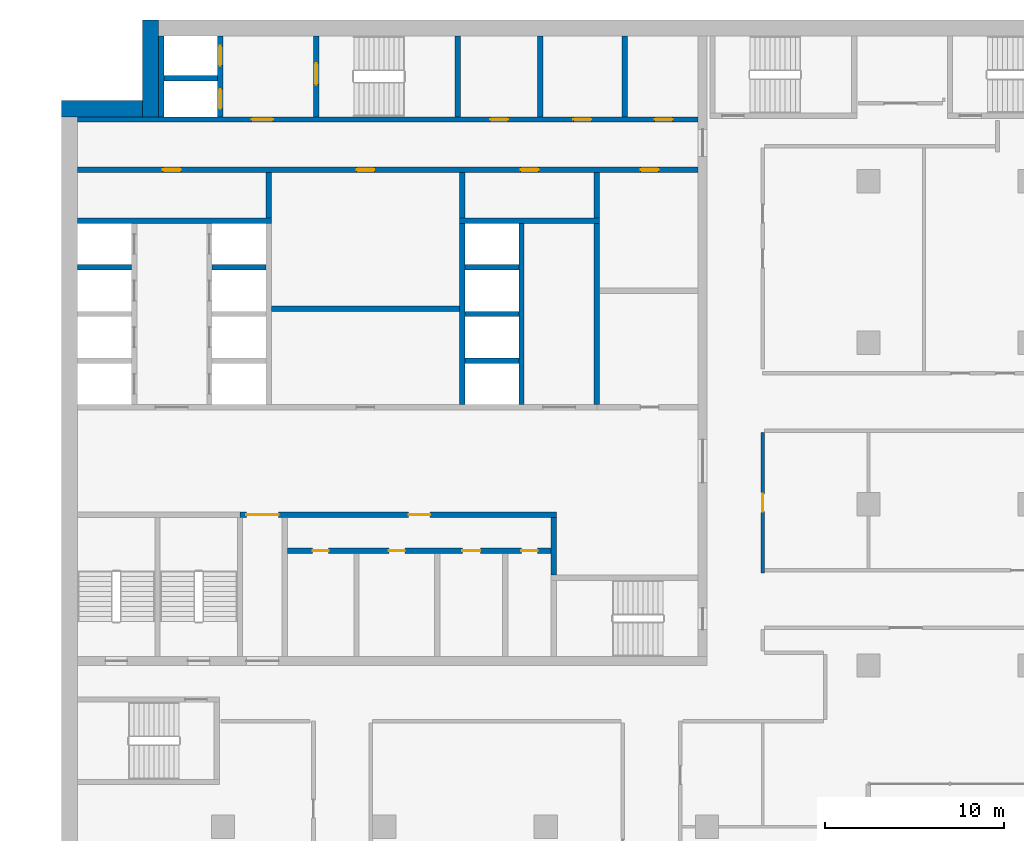
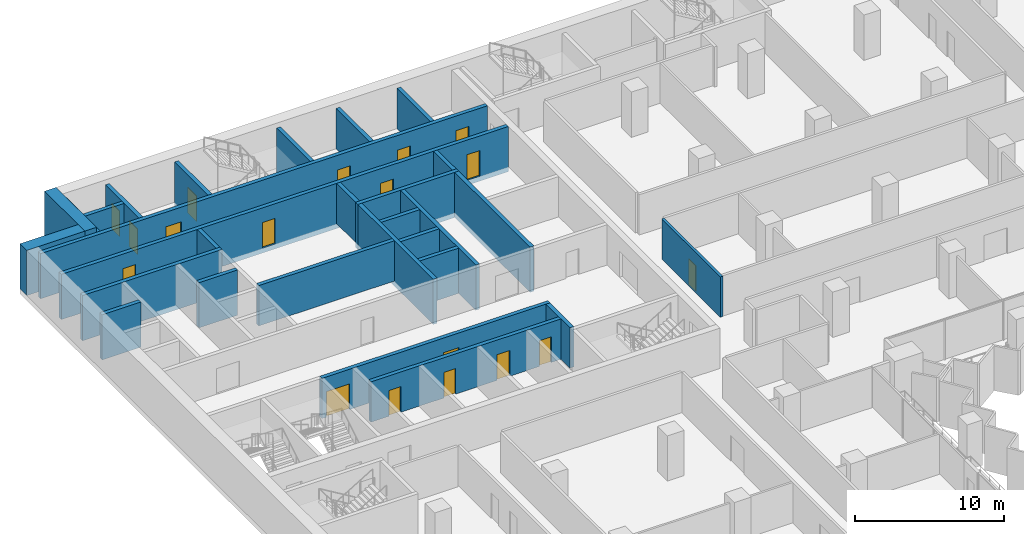
# One storey, part 13 of 23: 29 walls, 18 doors, 18 openings.
"""IFC4 building model written with IfcOpenShell, lengths in metres."""

from ifc_helpers import new_model, si_unit, direction, frame, frame_2d, origin, place, context, subcontext, project, spatial, rectangle, extrude, material, layer, layer_set, type_object, element, fill, save


model = new_model("IFC4")

# Units and contexts
model_context = context("Model", 3, precision=1e-05, world=origin(), true_north=direction((0.0, 1.0)))
body_context = subcontext(model_context, "Body", "Model", "MODEL_VIEW")
ifc_project = project(units=[si_unit("LENGTHUNIT", "METRE"), si_unit("AREAUNIT", "SQUARE_METRE"), si_unit("VOLUMEUNIT", "CUBIC_METRE"), si_unit("PLANEANGLEUNIT", "RADIAN"), si_unit("MASSUNIT", "GRAM", prefix="KILO")], contexts=[model_context])

# Site, building, storey
site_placement = place(None, origin())
site = spatial("IfcSite", under=ifc_project, at=site_placement, CompositionType="ELEMENT")
building_placement = place(site_placement, origin())
building = spatial("IfcBuilding", under=site, at=building_placement, Name="Hunhe Ridgeline Campus", CompositionType="ELEMENT")
storey_placement = place(building_placement, frame((0.0, 0.0, 110.699951171875)))
storey = spatial("IfcBuildingStorey", under=building, at=storey_placement, Name="L27", CompositionType="ELEMENT", Elevation=110.699951171875)

# Wall, openings, doors
ifc_material_1 = material(Name="Masonry concrete blockwork", Category="masonry")
ifc_layer_1 = layer(ifc_material_1, 0.300048828125)
ifc_layer_set_1 = layer_set([ifc_layer_1], Name="Core room partition 300 concrete block")
wall_type_1 = type_object("IfcWallType", Name="Core room partition 300 concrete block", PredefinedType="PARTITIONING", material=ifc_layer_set_1)
wall_1_placement = place(storey_placement, frame((12.60009765625, 69.39990234375, 0.0), z_axis=(0.0, 0.0, 1.0), x_axis=(1.0, 0.0, 0.0)))
wall_1 = element("IfcWall", 1, at=wall_1_placement, inside=storey, type_object=wall_type_1, Name="L27 core partition 9", PredefinedType="PARTITIONING", context=body_context, shape_type="SweptSolid", body=[
    extrude(rectangle(XDim=14.699951171875, YDim=0.300048828125, at=frame_2d((7.35009765625, 0.0))), origin(), (0.0, 0.0, 1.0), 3.300048828125),
])
opening_1_placement = place(wall_1_placement, frame((1.39990234375, 0.0, 0.0)))
opening_1 = element("IfcOpeningElement", 2, at=opening_1_placement, cuts=wall_1, Name="Opening CD8", PredefinedType="OPENING", context=body_context, shape_type="SweptSolid", body=[
    extrude(rectangle(XDim=0.89990234375, YDim=2.10009765625, at=frame_2d((0.449951171875, 1.050048828125))), frame((0.0, 0.14990234375, 0.0), z_axis=(0.0, -1.0, 0.0), x_axis=(1.0, 0.0, 0.0)), (0.0, 0.0, 1.0), 0.300048828125),
])
opening_2_placement = place(wall_1_placement, frame((5.64990234375, 0.0, 0.0)))
opening_2 = element("IfcOpeningElement", 3, at=opening_2_placement, cuts=wall_1, Name="Opening CD9", PredefinedType="OPENING", context=body_context, shape_type="SweptSolid", body=[
    extrude(rectangle(XDim=0.89990234375, YDim=2.10009765625, at=frame_2d((0.449951171875, 1.050048828125))), frame((0.0, 0.14990234375, 0.0), z_axis=(0.0, -1.0, 0.0), x_axis=(1.0, 0.0, 0.0)), (0.0, 0.0, 1.0), 0.300048828125),
])
opening_3_placement = place(wall_1_placement, frame((9.75, 0.0, 0.0)))
opening_3 = element("IfcOpeningElement", 4, at=opening_3_placement, cuts=wall_1, Name="Opening CD10", PredefinedType="OPENING", context=body_context, shape_type="SweptSolid", body=[
    extrude(rectangle(XDim=1.0, YDim=2.10009765625, at=frame_2d((0.5, 1.050048828125))), frame((0.0, 0.14990234375, 0.0), z_axis=(0.0, -1.0, 0.0), x_axis=(1.0, 0.0, 0.0)), (0.0, 0.0, 1.0), 0.300048828125),
])
opening_4_placement = place(wall_1_placement, frame((13.050048828125, 0.0, 0.0)))
opening_4 = element("IfcOpeningElement", 5, at=opening_4_placement, cuts=wall_1, Name="Opening CD11", PredefinedType="OPENING", context=body_context, shape_type="SweptSolid", body=[
    extrude(rectangle(XDim=0.89990234375, YDim=2.10009765625, at=frame_2d((0.449951171875, 1.050048828125))), frame((0.0, 0.14990234375, 0.0), z_axis=(0.0, -1.0, 0.0), x_axis=(1.0, 0.0, 0.0)), (0.0, 0.0, 1.0), 0.300048828125),
])
ifc_material_2 = material(Name="Solid core timber door leaf", Category="wood")
door_type_1 = type_object("IfcDoorType", Name="Timber door 1000x2100", OperationType="SINGLE_SWING_LEFT", PredefinedType="DOOR", material=ifc_material_2)
door_1_placement = place(opening_3_placement, frame((1.0, 0.0, 0.0), z_axis=(0.0, 0.0, 1.0), x_axis=(-1.0, 0.0, 0.0)))
door_1 = element("IfcDoor", 6, at=door_1_placement, inside=storey, type_object=door_type_1, Name="L27 door WC3", OperationType="SINGLE_SWING_RIGHT", OverallHeight=2.10009765625, OverallWidth=1.0, PredefinedType="DOOR", context=body_context, shape_type="SweptSolid", body=[
    extrude(rectangle(XDim=1.0, YDim=2.10009765625, at=frame_2d((0.5, 1.050048828125))), frame((0.0, 0.02490234375, 0.0), z_axis=(0.0, -1.0, 0.0), x_axis=(1.0, 0.0, 0.0)), (0.0, 0.0, 1.0), 0.050048828125),
])
fill(opening_3, door_1)
door_type_2 = type_object("IfcDoorType", Name="Timber door 900x2100", OperationType="SINGLE_SWING_LEFT", PredefinedType="DOOR", material=ifc_material_2)
door_2_placement = place(opening_1_placement, frame((0.89990234375, 0.0, 0.0), z_axis=(0.0, 0.0, 1.0), x_axis=(-1.0, 0.0, 0.0)))
door_2 = element("IfcDoor", 7, at=door_2_placement, inside=storey, type_object=door_type_2, Name="L27 door WC1", OperationType="SINGLE_SWING_RIGHT", OverallHeight=2.10009765625, OverallWidth=0.89990234375, PredefinedType="DOOR", context=body_context, shape_type="SweptSolid", body=[
    extrude(rectangle(XDim=0.89990234375, YDim=2.10009765625, at=frame_2d((0.449951171875, 1.050048828125))), frame((0.0, 0.02490234375, 0.0), z_axis=(0.0, -1.0, 0.0), x_axis=(1.0, 0.0, 0.0)), (0.0, 0.0, 1.0), 0.050048828125),
])
fill(opening_1, door_2)
door_3_placement = place(opening_2_placement, frame((0.89990234375, 0.0, 0.0), z_axis=(0.0, 0.0, 1.0), x_axis=(-1.0, 0.0, 0.0)))
door_3 = element("IfcDoor", 8, at=door_3_placement, inside=storey, type_object=door_type_2, Name="L27 door WC2", OperationType="SINGLE_SWING_LEFT", OverallHeight=2.10009765625, OverallWidth=0.89990234375, PredefinedType="DOOR", context=body_context, shape_type="SweptSolid", body=[
    extrude(rectangle(XDim=0.89990234375, YDim=2.10009765625, at=frame_2d((0.449951171875, 1.050048828125))), frame((0.0, 0.02490234375, 0.0), z_axis=(0.0, -1.0, 0.0), x_axis=(1.0, 0.0, 0.0)), (0.0, 0.0, 1.0), 0.050048828125),
])
fill(opening_2, door_3)
door_4_placement = place(opening_4_placement, frame((0.89990234375, 0.0, 0.0), z_axis=(0.0, 0.0, 1.0), x_axis=(-1.0, 0.0, 0.0)))
door_4 = element("IfcDoor", 9, at=door_4_placement, inside=storey, type_object=door_type_2, Name="L27 door WC4", OperationType="SINGLE_SWING_LEFT", OverallHeight=2.10009765625, OverallWidth=0.89990234375, PredefinedType="DOOR", context=body_context, shape_type="SweptSolid", body=[
    extrude(rectangle(XDim=0.89990234375, YDim=2.10009765625, at=frame_2d((0.449951171875, 1.050048828125))), frame((0.0, 0.02490234375, 0.0), z_axis=(0.0, -1.0, 0.0), x_axis=(1.0, 0.0, 0.0)), (0.0, 0.0, 1.0), 0.050048828125),
])
fill(opening_4, door_4)

wall_2_placement = place(storey_placement, frame((9.949951171875, 71.39990234375, 0.0), z_axis=(0.0, 0.0, 1.0), x_axis=(1.0, 0.0, 0.0)))
wall_2 = element("IfcWall", 10, at=wall_2_placement, inside=storey, type_object=wall_type_1, Name="L27 core partition 11", PredefinedType="PARTITIONING", context=body_context, shape_type="SweptSolid", body=[
    extrude(rectangle(XDim=17.650146484375, YDim=0.300048828125, at=frame_2d((8.8251953125, 0.0))), origin(), (0.0, 0.0, 1.0), 3.300048828125),
])
opening_5_placement = place(wall_2_placement, frame((0.35009765625, 0.0, 0.0)))
opening_5 = element("IfcOpeningElement", 11, at=opening_5_placement, cuts=wall_2, Name="Opening CD7", PredefinedType="OPENING", context=body_context, shape_type="SweptSolid", body=[
    extrude(rectangle(XDim=1.800048828125, YDim=2.10009765625, at=frame_2d((0.89990234375, 1.050048828125))), frame((0.0, 0.14990234375, 0.0), z_axis=(0.0, -1.0, 0.0), x_axis=(1.0, 0.0, 0.0)), (0.0, 0.0, 1.0), 0.300048828125),
])
opening_6_placement = place(wall_2_placement, frame((9.39990234375, 0.0, 0.0)))
opening_6 = element("IfcOpeningElement", 12, at=opening_6_placement, cuts=wall_2, Name="Opening CD12", PredefinedType="OPENING", context=body_context, shape_type="SweptSolid", body=[
    extrude(rectangle(XDim=1.199951171875, YDim=2.10009765625, at=frame_2d((0.60009765625, 1.050048828125))), frame((0.0, 0.14990234375, 0.0), z_axis=(0.0, -1.0, 0.0), x_axis=(1.0, 0.0, 0.0)), (0.0, 0.0, 1.0), 0.300048828125),
])
ifc_material_3 = material(Name="Anodised aluminium and glass", Category="aluminium")
door_type_3 = type_object("IfcDoorType", Name="Glazed double door 1800x2100", OperationType="DOUBLE_DOOR_SINGLE_SWING", PredefinedType="DOOR", material=ifc_material_3)
door_5_placement = place(opening_5_placement, origin())
door_5 = element("IfcDoor", 13, at=door_5_placement, inside=storey, type_object=door_type_3, Name="L27 door VEST-HALL", OperationType="DOUBLE_DOOR_SINGLE_SWING", OverallHeight=2.10009765625, OverallWidth=1.800048828125, PredefinedType="DOOR", context=body_context, shape_type="SweptSolid", body=[
    extrude(rectangle(XDim=1.800048828125, YDim=2.10009765625, at=frame_2d((0.89990234375, 1.050048828125))), frame((0.0, 0.02490234375, 0.0), z_axis=(0.0, -1.0, 0.0), x_axis=(1.0, 0.0, 0.0)), (0.0, 0.0, 1.0), 0.050048828125),
])
fill(opening_5, door_5)
door_type_4 = type_object("IfcDoorType", Name="Timber door 1200x2100", OperationType="SINGLE_SWING_LEFT", PredefinedType="DOOR", material=ifc_material_2)
door_6_placement = place(opening_6_placement, origin())
door_6 = element("IfcDoor", 14, at=door_6_placement, inside=storey, type_object=door_type_4, Name="L27 door WCL2-HALL", OperationType="SINGLE_SWING_LEFT", OverallHeight=2.10009765625, OverallWidth=1.199951171875, PredefinedType="DOOR", context=body_context, shape_type="SweptSolid", body=[
    extrude(rectangle(XDim=1.199951171875, YDim=2.10009765625, at=frame_2d((0.60009765625, 1.050048828125))), frame((0.0, 0.02490234375, 0.0), z_axis=(0.0, -1.0, 0.0), x_axis=(1.0, 0.0, 0.0)), (0.0, 0.0, 1.0), 0.050048828125),
])
fill(opening_6, door_6)

# Walls
wall_3_placement = place(storey_placement, frame((11.699951171875, 82.89990234375, 0.0), z_axis=(0.0, 0.0, 1.0), x_axis=(1.0, 0.0, 0.0)))
element("IfcWall", 15, at=wall_3_placement, inside=storey, type_object=wall_type_1, Name="L27 core partition 20", PredefinedType="PARTITIONING", context=body_context, shape_type="SweptSolid", body=[
    extrude(rectangle(XDim=10.5, YDim=0.300048828125, at=frame_2d((5.25, 0.0))), origin(), (0.0, 0.0, 1.0), 3.300048828125),
])
for number, where, z_axis, x_axis, name in (
    (16, (11.550048828125, 87.949951171875, 0.0), (0.0, 0.0, 1.0), (0.0, 1.0, 0.0), "L27 core partition 42"),
    (17, (22.35009765625, 87.949951171875, 0.0), (0.0, 0.0, 1.0), (0.0, 1.0, 0.0), "L27 core partition 50"),
):
    element("IfcWall", number, at=place(storey_placement, frame(where, z_axis=z_axis, x_axis=x_axis)), inside=storey, type_object=wall_type_1, Name=name, PredefinedType="PARTITIONING", context=body_context, shape_type="SweptSolid", body=[
        extrude(rectangle(XDim=2.550048828125, YDim=0.300048828125, at=frame_2d((1.27490234375, 0.0))), origin(), (0.0, 0.0, 1.0), 3.300048828125),
    ])
wall_4_placement = place(storey_placement, frame((26.699951171875, 93.60009765625, 0.0), z_axis=(0.0, 0.0, 1.0), x_axis=(0.0, 1.0, 0.0)))
element("IfcWall", 18, at=wall_4_placement, inside=storey, type_object=wall_type_1, Name="L27 core partition 54", PredefinedType="PARTITIONING", context=body_context, shape_type="SweptSolid", body=[
    extrude(rectangle(XDim=4.5, YDim=0.300048828125, at=frame_2d((2.25, 0.0))), origin(), (0.0, 0.0, 1.0), 3.300048828125),
])
wall_5_placement = place(storey_placement, frame((27.449951171875, 68.050048828125, 0.0), z_axis=(0.0, 0.0, 1.0), x_axis=(0.0, 1.0, 0.0)))
element("IfcWall", 19, at=wall_5_placement, inside=storey, type_object=wall_type_1, Name="L27 core partition 56", PredefinedType="PARTITIONING", context=body_context, shape_type="SweptSolid", body=[
    extrude(rectangle(XDim=3.199951171875, YDim=0.300048828125, at=frame_2d((1.60009765625, 0.0))), origin(), (0.0, 0.0, 1.0), 3.300048828125),
])
wall_6_placement = place(storey_placement, frame((29.85009765625, 87.949951171875, 0.0), z_axis=(0.0, 0.0, 1.0), x_axis=(0.0, 1.0, 0.0)))
element("IfcWall", 20, at=wall_6_placement, inside=storey, type_object=wall_type_1, Name="L27 core partition 58", PredefinedType="PARTITIONING", context=body_context, shape_type="SweptSolid", body=[
    extrude(rectangle(XDim=2.550048828125, YDim=0.300048828125, at=frame_2d((1.27490234375, 0.0))), origin(), (0.0, 0.0, 1.0), 3.300048828125),
])
wall_7_placement = place(storey_placement, frame((31.39990234375, 93.60009765625, 0.0), z_axis=(0.0, 0.0, 1.0), x_axis=(0.0, 1.0, 0.0)))
element("IfcWall", 21, at=wall_7_placement, inside=storey, type_object=wall_type_1, Name="L27 core partition 59", PredefinedType="PARTITIONING", context=body_context, shape_type="SweptSolid", body=[
    extrude(rectangle(XDim=4.5, YDim=0.300048828125, at=frame_2d((2.25, 0.0))), origin(), (0.0, 0.0, 1.0), 3.300048828125),
])

# Wall, opening, door
ifc_material_4 = material(Name="Gypsum board partition")
ifc_layer_2 = layer(ifc_material_4, 0.199951171875)
ifc_layer_set_2 = layer_set([ifc_layer_2], Name="Corridor partition 200 gypsum board on steel studs")
wall_type_2 = type_object("IfcWallType", Name="Corridor partition 200 gypsum board on steel studs", PredefinedType="PARTITIONING", material=ifc_layer_set_2)
wall_8_placement = place(storey_placement, frame((39.10009765625, 76.0, 0.0), z_axis=(0.0, 0.0, 1.0), x_axis=(0.0, -1.0, 0.0)))
wall_8 = element("IfcWall", 22, at=wall_8_placement, inside=storey, type_object=wall_type_2, Name="F-L27-wall-049", PredefinedType="PARTITIONING", context=body_context, shape_type="SweptSolid", body=[
    extrude(rectangle(XDim=7.845703125, YDim=0.199951171875, at=frame_2d((3.9228515625, 0.0))), origin(), (0.0, 0.0, 1.0), 3.300048828125),
])
opening_7_placement = place(wall_8_placement, frame((3.4228515625, 0.0, 0.0)))
opening_7 = element("IfcOpeningElement", 23, at=opening_7_placement, cuts=wall_8, Name="Opening RD1-025", PredefinedType="OPENING", context=body_context, shape_type="SweptSolid", body=[
    extrude(rectangle(XDim=1.0, YDim=2.10009765625, at=frame_2d((0.5, 1.050048828125))), frame((0.0, 0.10009765625, 0.0), z_axis=(0.0, -1.0, 0.0), x_axis=(1.0, 0.0, 0.0)), (0.0, 0.0, 1.0), 0.199951171875),
])
ifc_material_5 = material(Name="Timber door leaf", Category="wood")
door_type_5 = type_object("IfcDoorType", Name="Single fire door 1000x2100 timber FD60", OperationType="NOTDEFINED", PredefinedType="DOOR", material=ifc_material_5)
door_7_placement = place(opening_7_placement, origin())
door_7 = element("IfcDoor", 24, at=door_7_placement, inside=storey, type_object=door_type_5, Name="F-L27-door-025", OperationType="SINGLE_SWING_LEFT", OverallHeight=2.10009765625, OverallWidth=1.0, PredefinedType="DOOR", context=body_context, shape_type="SweptSolid", body=[
    extrude(rectangle(XDim=1.0, YDim=2.10009765625, at=frame_2d((0.5, 1.050048828125))), frame((0.0, 0.02490234375, 0.0), z_axis=(0.0, -1.0, 0.0), x_axis=(1.0, 0.0, 0.0)), (0.0, 0.0, 1.0), 0.050048828125),
])
fill(opening_7, door_7)

# Wall, openings, doors
ifc_material_6 = material(Name="Concrete C80", Category="concrete")
ifc_layer_3 = layer(ifc_material_6, 0.300048828125)
ifc_layer_set_3 = layer_set([ifc_layer_3], Name="Lobby wall 300 reinforced concrete C80")
wall_type_3 = type_object("IfcWallType", Name="Lobby wall 300 reinforced concrete C80", PredefinedType="SOLIDWALL", material=ifc_layer_set_3)
wall_9_placement = place(storey_placement, frame((0.89990234375, 90.64990234375, -0.39990234375), z_axis=(0.0, 0.0, 1.0), x_axis=(1.0, 0.0, 0.0)))
wall_9 = element("IfcWall", 25, at=wall_9_placement, inside=storey, type_object=wall_type_3, Name="L27 core wall 27", PredefinedType="SOLIDWALL", context=body_context, shape_type="SweptSolid", body=[
    extrude(rectangle(XDim=34.60009765625, YDim=0.300048828125, at=frame_2d((17.300048828125, 0.0))), origin(), (0.0, 0.0, 1.0), 3.699951171875),
])
opening_8_placement = place(wall_9_placement, frame((4.75, 0.0, 0.39990234375)))
opening_8 = element("IfcOpeningElement", 26, at=opening_8_placement, cuts=wall_9, Name="Opening CD26", PredefinedType="OPENING", context=body_context, shape_type="SweptSolid", body=[
    extrude(rectangle(XDim=1.0, YDim=2.10009765625, at=frame_2d((0.5, 1.050048828125))), frame((0.0, 0.14990234375, 0.0), z_axis=(0.0, -1.0, 0.0), x_axis=(1.0, 0.0, 0.0)), (0.0, 0.0, 1.0), 0.300048828125),
])
opening_9_placement = place(wall_9_placement, frame((24.699951171875, 0.0, 0.39990234375)))
opening_9 = element("IfcOpeningElement", 27, at=opening_9_placement, cuts=wall_9, Name="Opening CD27", PredefinedType="OPENING", context=body_context, shape_type="SweptSolid", body=[
    extrude(rectangle(XDim=1.0, YDim=2.10009765625, at=frame_2d((0.5, 1.050048828125))), frame((0.0, 0.14990234375, 0.0), z_axis=(0.0, -1.0, 0.0), x_axis=(1.0, 0.0, 0.0)), (0.0, 0.0, 1.0), 0.300048828125),
])
opening_10_placement = place(wall_9_placement, frame((15.550048828125, 0.0, 0.39990234375)))
opening_10 = element("IfcOpeningElement", 28, at=opening_10_placement, cuts=wall_9, Name="Opening CD29", PredefinedType="OPENING", context=body_context, shape_type="SweptSolid", body=[
    extrude(rectangle(XDim=1.0, YDim=2.10009765625, at=frame_2d((0.5, 1.050048828125))), frame((0.0, 0.14990234375, 0.0), z_axis=(0.0, -1.0, 0.0), x_axis=(1.0, 0.0, 0.0)), (0.0, 0.0, 1.0), 0.300048828125),
])
opening_11_placement = place(wall_9_placement, frame((31.39990234375, 0.0, 0.39990234375)))
opening_11 = element("IfcOpeningElement", 29, at=opening_11_placement, cuts=wall_9, Name="Opening CD33", PredefinedType="OPENING", context=body_context, shape_type="SweptSolid", body=[
    extrude(rectangle(XDim=1.0, YDim=2.10009765625, at=frame_2d((0.5, 1.050048828125))), frame((0.0, 0.14990234375, 0.0), z_axis=(0.0, -1.0, 0.0), x_axis=(1.0, 0.0, 0.0)), (0.0, 0.0, 1.0), 0.300048828125),
])
door_8_placement = place(opening_8_placement, frame((1.0, 0.0, 0.0), z_axis=(0.0, 0.0, 1.0), x_axis=(-1.0, 0.0, 0.0)))
door_8 = element("IfcDoor", 30, at=door_8_placement, inside=storey, type_object=door_type_1, Name="L27 door NR-0", OperationType="SINGLE_SWING_RIGHT", OverallHeight=2.10009765625, OverallWidth=1.0, PredefinedType="DOOR", context=body_context, shape_type="SweptSolid", body=[
    extrude(rectangle(XDim=1.0, YDim=2.10009765625, at=frame_2d((0.5, 1.050048828125))), frame((0.0, 0.02490234375, 0.0), z_axis=(0.0, -1.0, 0.0), x_axis=(1.0, 0.0, 0.0)), (0.0, 0.0, 1.0), 0.050048828125),
])
fill(opening_8, door_8)
door_9_placement = place(opening_9_placement, frame((1.0, 0.0, 0.0), z_axis=(0.0, 0.0, 1.0), x_axis=(-1.0, 0.0, 0.0)))
door_9 = element("IfcDoor", 31, at=door_9_placement, inside=storey, type_object=door_type_1, Name="L27 door NR-1", OperationType="SINGLE_SWING_LEFT", OverallHeight=2.10009765625, OverallWidth=1.0, PredefinedType="DOOR", context=body_context, shape_type="SweptSolid", body=[
    extrude(rectangle(XDim=1.0, YDim=2.10009765625, at=frame_2d((0.5, 1.050048828125))), frame((0.0, 0.02490234375, 0.0), z_axis=(0.0, -1.0, 0.0), x_axis=(1.0, 0.0, 0.0)), (0.0, 0.0, 1.0), 0.050048828125),
])
fill(opening_9, door_9)
door_10_placement = place(opening_10_placement, frame((1.0, 0.0, 0.0), z_axis=(0.0, 0.0, 1.0), x_axis=(-1.0, 0.0, 0.0)))
door_10 = element("IfcDoor", 32, at=door_10_placement, inside=storey, type_object=door_type_1, Name="L27 door VD-HR1", OperationType="SINGLE_SWING_LEFT", OverallHeight=2.10009765625, OverallWidth=1.0, PredefinedType="DOOR", context=body_context, shape_type="SweptSolid", body=[
    extrude(rectangle(XDim=1.0, YDim=2.10009765625, at=frame_2d((0.5, 1.050048828125))), frame((0.0, 0.02490234375, 0.0), z_axis=(0.0, -1.0, 0.0), x_axis=(1.0, 0.0, 0.0)), (0.0, 0.0, 1.0), 0.050048828125),
])
fill(opening_10, door_10)
door_11_placement = place(opening_11_placement, frame((1.0, 0.0, 0.0), z_axis=(0.0, 0.0, 1.0), x_axis=(-1.0, 0.0, 0.0)))
door_11 = element("IfcDoor", 33, at=door_11_placement, inside=storey, type_object=door_type_1, Name="L27 door ES1", OperationType="SINGLE_SWING_RIGHT", OverallHeight=2.10009765625, OverallWidth=1.0, PredefinedType="DOOR", context=body_context, shape_type="SweptSolid", body=[
    extrude(rectangle(XDim=1.0, YDim=2.10009765625, at=frame_2d((0.5, 1.050048828125))), frame((0.0, 0.02490234375, 0.0), z_axis=(0.0, -1.0, 0.0), x_axis=(1.0, 0.0, 0.0)), (0.0, 0.0, 1.0), 0.050048828125),
])
fill(opening_11, door_11)

# Walls
wall_10_placement = place(storey_placement, frame((29.85009765625, 77.550048828125, -0.39990234375), z_axis=(0.0, 0.0, 1.0), x_axis=(0.0, 1.0, 0.0)))
element("IfcWall", 34, at=wall_10_placement, inside=storey, type_object=wall_type_3, Name="L27 core wall 57", PredefinedType="SOLIDWALL", context=body_context, shape_type="SweptSolid", body=[
    extrude(rectangle(XDim=10.099853515625, YDim=0.300048828125, at=frame_2d((5.0498046875, 0.0))), origin(), (0.0, 0.0, 1.0), 3.699951171875),
])
ifc_layer_4 = layer(ifc_material_6, 0.300048828125)
ifc_layer_set_4 = layer_set([ifc_layer_4], Name="Shaft wall 300 reinforced concrete C80")
wall_type_4 = type_object("IfcWallType", Name="Shaft wall 300 reinforced concrete C80", PredefinedType="SOLIDWALL", material=ifc_layer_set_4)
for number, where, z_axis, x_axis, name in (
    (35, (22.5, 80.0, -0.39990234375), (0.0, 0.0, 1.0), (1.0, 0.0, 0.0), "L27 core wall 16"),
    (36, (22.5, 82.60009765625, -0.39990234375), (0.0, 0.0, 1.0), (1.0, 0.0, 0.0), "L27 core wall 19"),
    (37, (0.89990234375, 85.199951171875, -0.39990234375), (0.0, 0.0, 1.0), (1.0, 0.0, 0.0), "L27 core wall 22"),
    (38, (8.39990234375, 85.199951171875, -0.39990234375), (0.0, 0.0, 1.0), (1.0, 0.0, 0.0), "L27 core wall 23"),
    (39, (22.5, 85.199951171875, -0.39990234375), (0.0, 0.0, 1.0), (1.0, 0.0, 0.0), "L27 core wall 24"),
):
    element("IfcWall", number, at=place(storey_placement, frame(where, z_axis=z_axis, x_axis=x_axis)), inside=storey, type_object=wall_type_4, Name=name, PredefinedType="SOLIDWALL", context=body_context, shape_type="SweptSolid", body=[
        extrude(rectangle(XDim=3.0, YDim=0.300048828125, at=frame_2d((1.5, 0.0))), origin(), (0.0, 0.0, 1.0), 3.699951171875),
    ])
wall_11_placement = place(storey_placement, frame((0.89990234375, 87.800048828125, -0.39990234375), z_axis=(0.0, 0.0, 1.0), x_axis=(1.0, 0.0, 0.0)))
element("IfcWall", 40, at=wall_11_placement, inside=storey, type_object=wall_type_4, Name="L27 core wall 25", PredefinedType="SOLIDWALL", context=body_context, shape_type="SweptSolid", body=[
    extrude(rectangle(XDim=10.800048828125, YDim=0.300048828125, at=frame_2d((5.39990234375, 0.0))), origin(), (0.0, 0.0, 1.0), 3.699951171875),
])
wall_12_placement = place(storey_placement, frame((22.199951171875, 87.800048828125, -0.39990234375), z_axis=(0.0, 0.0, 1.0), x_axis=(1.0, 0.0, 0.0)))
element("IfcWall", 41, at=wall_12_placement, inside=storey, type_object=wall_type_4, Name="L27 core wall 26", PredefinedType="SOLIDWALL", context=body_context, shape_type="SweptSolid", body=[
    extrude(rectangle(XDim=7.800048828125, YDim=0.300048828125, at=frame_2d((3.89990234375, 0.0))), origin(), (0.0, 0.0, 1.0), 3.699951171875),
])

# Wall, openings, doors
wall_13_placement = place(storey_placement, frame((0.89990234375, 93.449951171875, -0.39990234375), z_axis=(0.0, 0.0, 1.0), x_axis=(1.0, 0.0, 0.0)))
wall_13 = element("IfcWall", 42, at=wall_13_placement, inside=storey, type_object=wall_type_4, Name="L27 core wall 28", PredefinedType="SOLIDWALL", context=body_context, shape_type="SweptSolid", body=[
    extrude(rectangle(XDim=34.60009765625, YDim=0.300048828125, at=frame_2d((17.300048828125, 0.0))), origin(), (0.0, 0.0, 1.0), 3.699951171875),
])
opening_12_placement = place(wall_13_placement, frame((9.699951171875, 0.0, 0.39990234375)))
opening_12 = element("IfcOpeningElement", 43, at=opening_12_placement, cuts=wall_13, Name="Opening CD3", PredefinedType="OPENING", context=body_context, shape_type="SweptSolid", body=[
    extrude(rectangle(XDim=1.199951171875, YDim=2.10009765625, at=frame_2d((0.60009765625, 1.050048828125))), frame((0.0, 0.14990234375, 0.0), z_axis=(0.0, -1.0, 0.0), x_axis=(1.0, 0.0, 0.0)), (0.0, 0.0, 1.0), 0.300048828125),
])
opening_13_placement = place(wall_13_placement, frame((23.0, 0.0, 0.39990234375)))
opening_13 = element("IfcOpeningElement", 44, at=opening_13_placement, cuts=wall_13, Name="Opening CD34", PredefinedType="OPENING", context=body_context, shape_type="SweptSolid", body=[
    extrude(rectangle(XDim=1.0, YDim=2.10009765625, at=frame_2d((0.5, 1.050048828125))), frame((0.0, 0.14990234375, 0.0), z_axis=(0.0, -1.0, 0.0), x_axis=(1.0, 0.0, 0.0)), (0.0, 0.0, 1.0), 0.300048828125),
])
opening_14_placement = place(wall_13_placement, frame((27.64990234375, 0.0, 0.39990234375)))
opening_14 = element("IfcOpeningElement", 45, at=opening_14_placement, cuts=wall_13, Name="Opening CD35", PredefinedType="OPENING", context=body_context, shape_type="SweptSolid", body=[
    extrude(rectangle(XDim=1.0, YDim=2.10009765625, at=frame_2d((0.5, 1.050048828125))), frame((0.0, 0.14990234375, 0.0), z_axis=(0.0, -1.0, 0.0), x_axis=(1.0, 0.0, 0.0)), (0.0, 0.0, 1.0), 0.300048828125),
])
opening_15_placement = place(wall_13_placement, frame((32.175048828125, 0.0, 0.39990234375)))
opening_15 = element("IfcOpeningElement", 46, at=opening_15_placement, cuts=wall_13, Name="Opening CD36", PredefinedType="OPENING", context=body_context, shape_type="SweptSolid", body=[
    extrude(rectangle(XDim=1.0, YDim=2.10009765625, at=frame_2d((0.5, 1.050048828125))), frame((0.0, 0.14990234375, 0.0), z_axis=(0.0, -1.0, 0.0), x_axis=(1.0, 0.0, 0.0)), (0.0, 0.0, 1.0), 0.300048828125),
])
ifc_material_7 = material(Name="Hollow metal fire door leaf")
door_type_6 = type_object("IfcDoorType", Name="Lobby door 1200x2100 FD60", OperationType="SINGLE_SWING_LEFT", PredefinedType="DOOR", material=ifc_material_7)
door_12_placement = place(opening_12_placement, frame((1.199951171875, 0.0, 0.0), z_axis=(0.0, 0.0, 1.0), x_axis=(-1.0, 0.0, 0.0)))
door_12 = element("IfcDoor", 47, at=door_12_placement, inside=storey, type_object=door_type_6, Name="L27 door FF-C1", OperationType="SINGLE_SWING_LEFT", OverallHeight=2.10009765625, OverallWidth=1.199951171875, PredefinedType="DOOR", context=body_context, shape_type="SweptSolid", body=[
    extrude(rectangle(XDim=1.199951171875, YDim=2.10009765625, at=frame_2d((0.60009765625, 1.050048828125))), frame((0.0, 0.02490234375, 0.0), z_axis=(0.0, -1.0, 0.0), x_axis=(1.0, 0.0, 0.0)), (0.0, 0.0, 1.0), 0.050048828125),
])
fill(opening_12, door_12)
door_13_placement = place(opening_13_placement, origin())
door_13 = element("IfcDoor", 48, at=door_13_placement, inside=storey, type_object=door_type_1, Name="L27 door NB0", OperationType="SINGLE_SWING_RIGHT", OverallHeight=2.10009765625, OverallWidth=1.0, PredefinedType="DOOR", context=body_context, shape_type="SweptSolid", body=[
    extrude(rectangle(XDim=1.0, YDim=2.10009765625, at=frame_2d((0.5, 1.050048828125))), frame((0.0, 0.02490234375, 0.0), z_axis=(0.0, -1.0, 0.0), x_axis=(1.0, 0.0, 0.0)), (0.0, 0.0, 1.0), 0.050048828125),
])
fill(opening_13, door_13)
door_14_placement = place(opening_14_placement, origin())
door_14 = element("IfcDoor", 49, at=door_14_placement, inside=storey, type_object=door_type_1, Name="L27 door NB1", OperationType="SINGLE_SWING_LEFT", OverallHeight=2.10009765625, OverallWidth=1.0, PredefinedType="DOOR", context=body_context, shape_type="SweptSolid", body=[
    extrude(rectangle(XDim=1.0, YDim=2.10009765625, at=frame_2d((0.5, 1.050048828125))), frame((0.0, 0.02490234375, 0.0), z_axis=(0.0, -1.0, 0.0), x_axis=(1.0, 0.0, 0.0)), (0.0, 0.0, 1.0), 0.050048828125),
])
fill(opening_14, door_14)
door_15_placement = place(opening_15_placement, origin())
door_15 = element("IfcDoor", 50, at=door_15_placement, inside=storey, type_object=door_type_1, Name="L27 door NB2", OperationType="SINGLE_SWING_RIGHT", OverallHeight=2.10009765625, OverallWidth=1.0, PredefinedType="DOOR", context=body_context, shape_type="SweptSolid", body=[
    extrude(rectangle(XDim=1.0, YDim=2.10009765625, at=frame_2d((0.5, 1.050048828125))), frame((0.0, 0.02490234375, 0.0), z_axis=(0.0, -1.0, 0.0), x_axis=(1.0, 0.0, 0.0)), (0.0, 0.0, 1.0), 0.050048828125),
])
fill(opening_15, door_15)

# Walls
wall_14_placement = place(storey_placement, frame((5.699951171875, 95.75, -0.39990234375), z_axis=(0.0, 0.0, 1.0), x_axis=(1.0, 0.0, 0.0)))
element("IfcWall", 51, at=wall_14_placement, inside=storey, type_object=wall_type_4, Name="L27 core wall 32", PredefinedType="SOLIDWALL", context=body_context, shape_type="SweptSolid", body=[
    extrude(rectangle(XDim=3.0, YDim=0.300048828125, at=frame_2d((1.5, 0.0))), origin(), (0.0, 0.0, 1.0), 3.699951171875),
])
wall_15_placement = place(storey_placement, frame((5.550048828125, 93.60009765625, -0.39990234375), z_axis=(0.0, 0.0, 1.0), x_axis=(0.0, 1.0, 0.0)))
element("IfcWall", 52, at=wall_15_placement, inside=storey, type_object=wall_type_4, Name="L27 core wall 35", PredefinedType="SOLIDWALL", context=body_context, shape_type="SweptSolid", body=[
    extrude(rectangle(XDim=4.5, YDim=0.300048828125, at=frame_2d((2.25, 0.0))), origin(), (0.0, 0.0, 1.0), 3.699951171875),
])

# Wall, openings, doors
wall_16_placement = place(storey_placement, frame((8.85009765625, 93.60009765625, -0.39990234375), z_axis=(0.0, 0.0, 1.0), x_axis=(0.0, 1.0, 0.0)))
wall_16 = element("IfcWall", 53, at=wall_16_placement, inside=storey, type_object=wall_type_4, Name="L27 core wall 39", PredefinedType="SOLIDWALL", context=body_context, shape_type="SweptSolid", body=[
    extrude(rectangle(XDim=4.5, YDim=0.300048828125, at=frame_2d((2.25, 0.0))), origin(), (0.0, 0.0, 1.0), 3.699951171875),
])
opening_16_placement = place(wall_16_placement, frame((0.449951171875, 0.0, 0.39990234375)))
opening_16 = element("IfcOpeningElement", 54, at=opening_16_placement, cuts=wall_16, Name="Opening LD-FF1", PredefinedType="OPENING", context=body_context, shape_type="SweptSolid", body=[
    extrude(rectangle(XDim=1.10009765625, YDim=2.10009765625, at=frame_2d((0.550048828125, 1.050048828125))), frame((0.0, 0.14990234375, 0.0), z_axis=(0.0, -1.0, 0.0), x_axis=(1.0, 0.0, 0.0)), (0.0, 0.0, 1.0), 0.300048828125),
])
opening_17_placement = place(wall_16_placement, frame((2.85009765625, 0.0, 0.39990234375)))
opening_17 = element("IfcOpeningElement", 55, at=opening_17_placement, cuts=wall_16, Name="Opening LD-FF2", PredefinedType="OPENING", context=body_context, shape_type="SweptSolid", body=[
    extrude(rectangle(XDim=1.10009765625, YDim=2.10009765625, at=frame_2d((0.550048828125, 1.050048828125))), frame((0.0, 0.14990234375, 0.0), z_axis=(0.0, -1.0, 0.0), x_axis=(1.0, 0.0, 0.0)), (0.0, 0.0, 1.0), 0.300048828125),
])
ifc_material_8 = material(Name="Stainless steel sliding leaves", Category="steel")
door_type_7 = type_object("IfcDoorType", Name="Landing door 1100x2100 FD120", OperationType="SLIDING_TO_LEFT", PredefinedType="DOOR", material=ifc_material_8)
door_16_placement = place(opening_16_placement, origin())
door_16 = element("IfcDoor", 56, at=door_16_placement, inside=storey, type_object=door_type_7, Name="L27 landing door FF1", OperationType="SLIDING_TO_RIGHT", OverallHeight=2.10009765625, OverallWidth=1.10009765625, PredefinedType="DOOR", context=body_context, shape_type="SweptSolid", body=[
    extrude(rectangle(XDim=1.10009765625, YDim=2.10009765625, at=frame_2d((0.550048828125, 1.050048828125))), frame((0.0, 0.02490234375, 0.0), z_axis=(0.0, -1.0, 0.0), x_axis=(1.0, 0.0, 0.0)), (0.0, 0.0, 1.0), 0.050048828125),
])
fill(opening_16, door_16)
door_17_placement = place(opening_17_placement, origin())
door_17 = element("IfcDoor", 57, at=door_17_placement, inside=storey, type_object=door_type_7, Name="L27 landing door FF2", OperationType="SLIDING_TO_LEFT", OverallHeight=2.10009765625, OverallWidth=1.10009765625, PredefinedType="DOOR", context=body_context, shape_type="SweptSolid", body=[
    extrude(rectangle(XDim=1.10009765625, YDim=2.10009765625, at=frame_2d((0.550048828125, 1.050048828125))), frame((0.0, 0.02490234375, 0.0), z_axis=(0.0, -1.0, 0.0), x_axis=(1.0, 0.0, 0.0)), (0.0, 0.0, 1.0), 0.050048828125),
])
fill(opening_17, door_17)

# Walls
for number, where, z_axis, x_axis, name in (
    (58, (22.35009765625, 77.550048828125, -0.39990234375), (0.0, 0.0, 1.0), (0.0, 1.0, 0.0), "L27 core wall 49"),
    (59, (25.64990234375, 77.550048828125, -0.39990234375), (0.0, 0.0, 1.0), (0.0, 1.0, 0.0), "L27 core wall 53"),
):
    element("IfcWall", number, at=place(storey_placement, frame(where, z_axis=z_axis, x_axis=x_axis)), inside=storey, type_object=wall_type_4, Name=name, PredefinedType="SOLIDWALL", context=body_context, shape_type="SweptSolid", body=[
        extrude(rectangle(XDim=10.099853515625, YDim=0.300048828125, at=frame_2d((5.0498046875, 0.0))), origin(), (0.0, 0.0, 1.0), 3.699951171875),
    ])
ifc_material_9 = material(Name="Concrete C70", Category="concrete")
ifc_layer_5 = layer(ifc_material_9, 0.89990234375)
ifc_layer_set_5 = layer_set([ifc_layer_5], Name="Spine wall 900 Concrete C70")
wall_type_5 = type_object("IfcWallType", Name="Spine wall 900 Concrete C70", PredefinedType="SHEAR", material=ifc_layer_set_5)
for number, where, z_axis, x_axis, name in (
    (60, (4.949951171875, 99.0, 0.0), (0.0, 0.0, 1.0), (0.0, -1.0, 0.0), "Spine wall SW2-5 L27"),
    (61, (5.400146484375, 94.050048828125, 0.0), (0.0, 0.0, 1.0), (-1.0, 0.0, 0.0), "Spine wall SW2-6 L27"),
):
    element("IfcWall", number, at=place(storey_placement, frame(where, z_axis=z_axis, x_axis=x_axis)), inside=storey, type_object=wall_type_5, Name=name, PredefinedType="SHEAR", context=body_context, shape_type="SweptSolid", body=[
        extrude(rectangle(XDim=5.400146484375, YDim=0.89990234375, at=frame_2d((2.7001953125, 0.0))), origin(), (0.0, 0.0, 1.0), 3.699951171875),
    ])

# Wall, opening, door
ifc_layer_6 = layer(ifc_material_6, 0.300048828125)
ifc_layer_set_6 = layer_set([ifc_layer_6], Name="Stair wall 300 reinforced concrete C80")
wall_type_6 = type_object("IfcWallType", Name="Stair wall 300 reinforced concrete C80", PredefinedType="SOLIDWALL", material=ifc_layer_set_6)
wall_17_placement = place(storey_placement, frame((14.199951171875, 93.60009765625, -0.39990234375), z_axis=(0.0, 0.0, 1.0), x_axis=(0.0, 1.0, 0.0)))
wall_17 = element("IfcWall", 62, at=wall_17_placement, inside=storey, type_object=wall_type_6, Name="L27 core wall 44", PredefinedType="SOLIDWALL", context=body_context, shape_type="SweptSolid", body=[
    extrude(rectangle(XDim=4.5, YDim=0.300048828125, at=frame_2d((2.25, 0.0))), origin(), (0.0, 0.0, 1.0), 3.699951171875),
])
opening_18_placement = place(wall_17_placement, frame((1.800048828125, 0.0, 0.39990234375)))
opening_18 = element("IfcOpeningElement", 63, at=opening_18_placement, cuts=wall_17, Name="Opening CD16", PredefinedType="OPENING", context=body_context, shape_type="SweptSolid", body=[
    extrude(rectangle(XDim=1.199951171875, YDim=2.10009765625, at=frame_2d((0.60009765625, 1.050048828125))), frame((0.0, 0.14990234375, 0.0), z_axis=(0.0, -1.0, 0.0), x_axis=(1.0, 0.0, 0.0)), (0.0, 0.0, 1.0), 0.300048828125),
])
door_type_8 = type_object("IfcDoorType", Name="Stair door 1200x2100 FD60", OperationType="SINGLE_SWING_LEFT", PredefinedType="DOOR", material=ifc_material_7)
door_18_placement = place(opening_18_placement, origin())
door_18 = element("IfcDoor", 64, at=door_18_placement, inside=storey, type_object=door_type_8, Name="L27 door S1-FF", OperationType="SINGLE_SWING_LEFT", OverallHeight=2.10009765625, OverallWidth=1.199951171875, PredefinedType="DOOR", context=body_context, shape_type="SweptSolid", body=[
    extrude(rectangle(XDim=1.199951171875, YDim=2.10009765625, at=frame_2d((0.60009765625, 1.050048828125))), frame((0.0, 0.02490234375, 0.0), z_axis=(0.0, -1.0, 0.0), x_axis=(1.0, 0.0, 0.0)), (0.0, 0.0, 1.0), 0.050048828125),
])
fill(opening_18, door_18)

# Wall
wall_18_placement = place(storey_placement, frame((22.10009765625, 93.60009765625, -0.39990234375), z_axis=(0.0, 0.0, 1.0), x_axis=(0.0, 1.0, 0.0)))
element("IfcWall", 65, at=wall_18_placement, inside=storey, type_object=wall_type_6, Name="L27 core wall 48", PredefinedType="SOLIDWALL", context=body_context, shape_type="SweptSolid", body=[
    extrude(rectangle(XDim=4.5, YDim=0.300048828125, at=frame_2d((2.25, 0.0))), origin(), (0.0, 0.0, 1.0), 3.699951171875),
])

save(model, "model.ifc")
